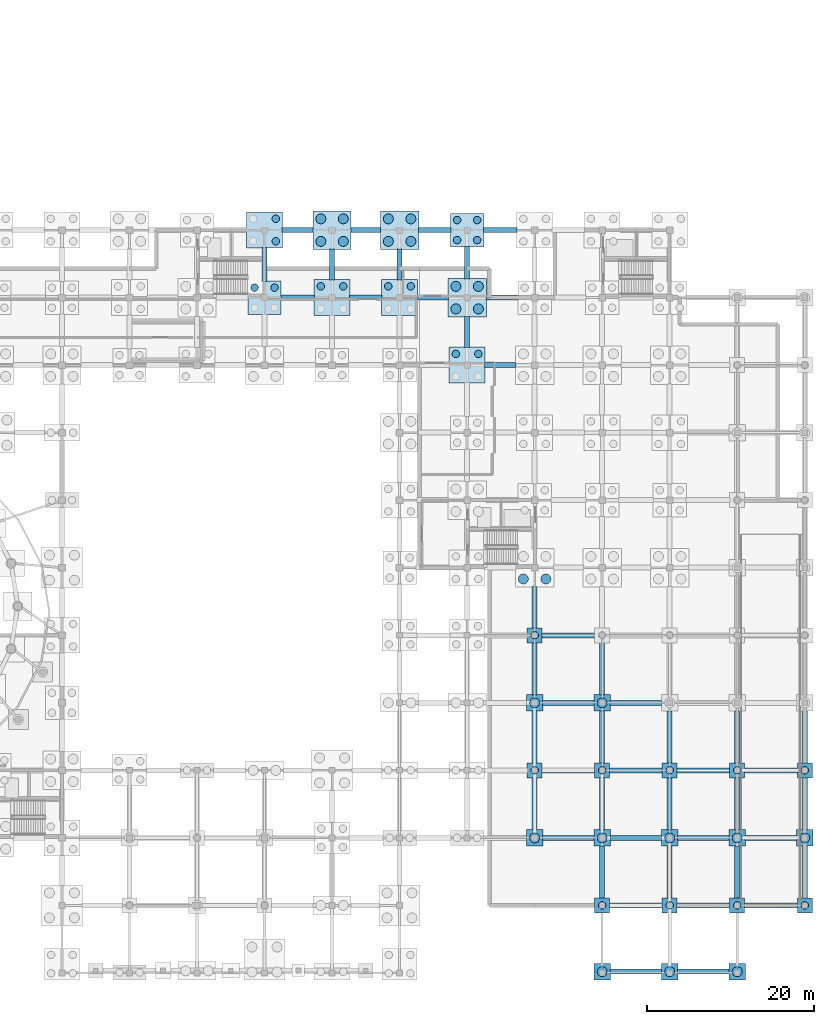
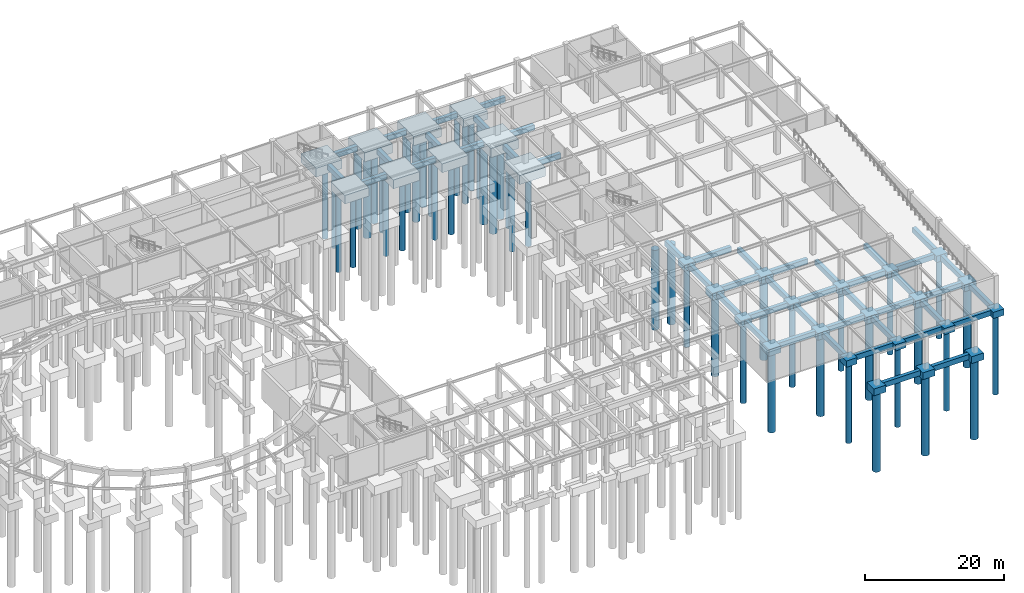
# One storey, part 6 of 26: 76 footings, 48 piles.
"""IFC4 building model written with IfcOpenShell, lengths in metres."""

from ifc_helpers import new_model, si_unit, direction, frame, origin, origin_2d, place, context, subcontext, project, spatial, rectangle, circle, extrude, material, material_profile, profile_set, type_object, element, save


model = new_model("IFC4")

# Units and contexts
model_context = context("Model", 3, precision=1e-05, world=origin(), true_north=direction((0.0, 1.0)))
body_context = subcontext(model_context, "Body", "Model", "MODEL_VIEW")
ifc_project = project(units=[si_unit("LENGTHUNIT", "METRE"), si_unit("AREAUNIT", "SQUARE_METRE"), si_unit("VOLUMEUNIT", "CUBIC_METRE"), si_unit("PLANEANGLEUNIT", "RADIAN"), si_unit("MASSUNIT", "GRAM", prefix="KILO")], contexts=[model_context])

# Site, building, storey
site_placement = place(None, origin())
site = spatial("IfcSite", under=ifc_project, at=site_placement, CompositionType="ELEMENT")
building_placement = place(site_placement, origin())
building = spatial("IfcBuilding", under=site, at=building_placement, Name="Parian Resonance Hall", CompositionType="ELEMENT")
storey_placement = place(building_placement, frame((0.0, 0.0, -5.39990234375)))
storey = spatial("IfcBuildingStorey", under=building, at=storey_placement, Name="B1", CompositionType="ELEMENT", Elevation=-5.39990234375)

# Footings
ifc_material_1 = material(Name="Concrete C35/45", Category="concrete")
ifc_material_profile_1 = material_profile(ifc_material_1, rectangle(XDim=0.60009765625, YDim=0.89990234375, at=origin_2d()), Name="RC-GB-600x900")
ifc_profile_set_1 = profile_set([ifc_material_profile_1], Name="Concrete C35/45")
footing_type_1 = type_object("IfcFootingType", Name="GB-600x900", PredefinedType="FOOTING_BEAM", material=ifc_profile_set_1)
for number, where, z_axis, x_axis, name in (
    (1, (99.159912109375, 81.0, -0.85009765625), (1.0, 0.0, 0.0), (0.0, 1.0, 0.0), "Foundation tie beam B1-111"),
    (2, (97.199951171875, 82.9599609375, -0.85009765625), (0.0, 1.0, 0.0), (-1.0, 0.0, 0.0), "Foundation tie beam B1-112"),
):
    element("IfcFooting", number, at=place(storey_placement, frame(where, z_axis=z_axis, x_axis=x_axis)), inside=storey, type_object=footing_type_1, Name=name, PredefinedType="FOOTING_BEAM", context=body_context, shape_type="SweptSolid", body=[
        extrude(rectangle(XDim=0.60009765625, YDim=0.89990234375, at=origin_2d()), origin(), (0.0, 0.0, 1.0), 4.030029296875),
    ])
footing_1_placement = place(storey_placement, frame((99.31005859375, 89.10009765625, -0.85009765625), z_axis=(1.0, 0.0, 0.0), x_axis=(0.0, 1.0, 0.0)))
element("IfcFooting", 3, at=footing_1_placement, inside=storey, type_object=footing_type_1, Name="Foundation tie beam B1-113", PredefinedType="FOOTING_BEAM", context=body_context, shape_type="SweptSolid", body=[
    extrude(rectangle(XDim=0.60009765625, YDim=0.89990234375, at=origin_2d()), origin(), (0.0, 0.0, 1.0), 3.72998046875),
])
footing_2_placement = place(storey_placement, frame((107.409912109375, 81.0, -0.85009765625), z_axis=(1.0, 0.0, 0.0), x_axis=(0.0, 1.0, 0.0)))
element("IfcFooting", 4, at=footing_2_placement, inside=storey, type_object=footing_type_1, Name="Foundation tie beam B1-122", PredefinedType="FOOTING_BEAM", context=body_context, shape_type="SweptSolid", body=[
    extrude(rectangle(XDim=0.60009765625, YDim=0.89990234375, at=origin_2d()), origin(), (0.0, 0.0, 1.0), 3.880126953125),
])
footing_3_placement = place(storey_placement, frame((105.300048828125, 83.110107421875, -0.85009765625), z_axis=(0.0, 1.0, 0.0), x_axis=(-1.0, 0.0, 0.0)))
element("IfcFooting", 5, at=footing_3_placement, inside=storey, type_object=footing_type_1, Name="Foundation tie beam B1-123", PredefinedType="FOOTING_BEAM", context=body_context, shape_type="SweptSolid", body=[
    extrude(rectangle(XDim=0.60009765625, YDim=0.89990234375, at=origin_2d()), origin(), (0.0, 0.0, 1.0), 3.72998046875),
])
footing_4_placement = place(storey_placement, frame((107.56005859375, 89.10009765625, -0.85009765625), z_axis=(1.0, 0.0, 0.0), x_axis=(0.0, 1.0, 0.0)))
element("IfcFooting", 6, at=footing_4_placement, inside=storey, type_object=footing_type_1, Name="Foundation tie beam B1-124", PredefinedType="FOOTING_BEAM", context=body_context, shape_type="SweptSolid", body=[
    extrude(rectangle(XDim=0.60009765625, YDim=0.89990234375, at=origin_2d()), origin(), (0.0, 0.0, 1.0), 3.579833984375),
])
for number, where, z_axis, x_axis, name in (
    (7, (115.510009765625, 81.0, -0.85009765625), (1.0, 0.0, 0.0), (0.0, 1.0, 0.0), "Foundation tie beam B1-142"),
    (8, (113.39990234375, 83.110107421875, -0.85009765625), (0.0, 1.0, 0.0), (-1.0, 0.0, 0.0), "Foundation tie beam B1-143"),
):
    element("IfcFooting", number, at=place(storey_placement, frame(where, z_axis=z_axis, x_axis=x_axis)), inside=storey, type_object=footing_type_1, Name=name, PredefinedType="FOOTING_BEAM", context=body_context, shape_type="SweptSolid", body=[
        extrude(rectangle(XDim=0.60009765625, YDim=0.89990234375, at=origin_2d()), origin(), (0.0, 0.0, 1.0), 3.72998046875),
    ])
footing_5_placement = place(storey_placement, frame((115.659912109375, 89.10009765625, -0.85009765625), z_axis=(1.0, 0.0, 0.0), x_axis=(0.0, 1.0, 0.0)))
element("IfcFooting", 9, at=footing_5_placement, inside=storey, type_object=footing_type_1, Name="Foundation tie beam B1-144", PredefinedType="FOOTING_BEAM", context=body_context, shape_type="SweptSolid", body=[
    extrude(rectangle(XDim=0.60009765625, YDim=0.89990234375, at=origin_2d()), origin(), (0.0, 0.0, 1.0), 3.880126953125),
])
for number, where, z_axis, x_axis, name in (
    (10, (123.610107421875, 72.89990234375, -0.85009765625), (1.0, 0.0, 0.0), (0.0, 1.0, 0.0), "Foundation tie beam B1-159"),
    (11, (121.5, 75.010009765625, -0.85009765625), (0.0, 1.0, 0.0), (-1.0, 0.0, 0.0), "Foundation tie beam B1-160"),
):
    element("IfcFooting", number, at=place(storey_placement, frame(where, z_axis=z_axis, x_axis=x_axis)), inside=storey, type_object=footing_type_1, Name=name, PredefinedType="FOOTING_BEAM", context=body_context, shape_type="SweptSolid", body=[
        extrude(rectangle(XDim=0.60009765625, YDim=0.89990234375, at=origin_2d()), origin(), (0.0, 0.0, 1.0), 3.72998046875),
    ])
for number, where, z_axis, x_axis, name in (
    (12, (123.760009765625, 81.0, -0.85009765625), (1.0, 0.0, 0.0), (0.0, 1.0, 0.0), "Foundation tie beam B1-161"),
    (13, (121.5, 83.260009765625, -0.85009765625), (0.0, 1.0, 0.0), (-1.0, 0.0, 0.0), "Foundation tie beam B1-162"),
):
    element("IfcFooting", number, at=place(storey_placement, frame(where, z_axis=z_axis, x_axis=x_axis)), inside=storey, type_object=footing_type_1, Name=name, PredefinedType="FOOTING_BEAM", context=body_context, shape_type="SweptSolid", body=[
        extrude(rectangle(XDim=0.60009765625, YDim=0.89990234375, at=origin_2d()), origin(), (0.0, 0.0, 1.0), 3.8798828125),
    ])
footing_6_placement = place(storey_placement, frame((123.4599609375, 89.10009765625, -0.85009765625), z_axis=(1.0, 0.0, 0.0), x_axis=(0.0, 1.0, 0.0)))
element("IfcFooting", 14, at=footing_6_placement, inside=storey, type_object=footing_type_1, Name="Foundation tie beam B1-163", PredefinedType="FOOTING_BEAM", context=body_context, shape_type="SweptSolid", body=[
    extrude(rectangle(XDim=0.60009765625, YDim=0.89990234375, at=origin_2d()), origin(), (0.0, 0.0, 1.0), 4.030029296875),
])
footing_7_placement = place(storey_placement, frame((130.56005859375, 16.199951171875, -0.85009765625), z_axis=(1.0, 0.0, 0.0), x_axis=(0.0, 1.0, 0.0)))
element("IfcFooting", 15, at=footing_7_placement, inside=storey, type_object=footing_type_1, Name="Foundation tie beam B1-164", PredefinedType="FOOTING_BEAM", context=body_context, shape_type="SweptSolid", body=[
    extrude(rectangle(XDim=0.60009765625, YDim=0.89990234375, at=origin_2d()), origin(), (0.0, 0.0, 1.0), 6.179931640625),
])
footing_8_placement = place(storey_placement, frame((129.60009765625, 17.159912109375, -0.85009765625), z_axis=(0.0, 1.0, 0.0), x_axis=(-1.0, 0.0, 0.0)))
element("IfcFooting", 16, at=footing_8_placement, inside=storey, type_object=footing_type_1, Name="Foundation tie beam B1-165", PredefinedType="FOOTING_BEAM", context=body_context, shape_type="SweptSolid", body=[
    extrude(rectangle(XDim=0.60009765625, YDim=0.89990234375, at=origin_2d()), origin(), (0.0, 0.0, 1.0), 6.280029296875),
])
footing_9_placement = place(storey_placement, frame((130.4599609375, 24.300048828125, -0.85009765625), z_axis=(1.0, 0.0, 0.0), x_axis=(0.0, 1.0, 0.0)))
element("IfcFooting", 17, at=footing_9_placement, inside=storey, type_object=footing_type_1, Name="Foundation tie beam B1-166", PredefinedType="FOOTING_BEAM", context=body_context, shape_type="SweptSolid", body=[
    extrude(rectangle(XDim=0.60009765625, YDim=0.89990234375, at=origin_2d()), origin(), (0.0, 0.0, 1.0), 6.380126953125),
])
footing_10_placement = place(storey_placement, frame((129.60009765625, 25.159912109375, -0.85009765625), z_axis=(0.0, 1.0, 0.0), x_axis=(-1.0, 0.0, 0.0)))
element("IfcFooting", 18, at=footing_10_placement, inside=storey, type_object=footing_type_1, Name="Foundation tie beam B1-167", PredefinedType="FOOTING_BEAM", context=body_context, shape_type="SweptSolid", body=[
    extrude(rectangle(XDim=0.60009765625, YDim=0.89990234375, at=origin_2d()), origin(), (0.0, 0.0, 1.0), 6.280029296875),
])
footing_11_placement = place(storey_placement, frame((130.56005859375, 32.39990234375, -0.85009765625), z_axis=(1.0, 0.0, 0.0), x_axis=(0.0, 1.0, 0.0)))
element("IfcFooting", 19, at=footing_11_placement, inside=storey, type_object=footing_type_1, Name="Foundation tie beam B1-168", PredefinedType="FOOTING_BEAM", context=body_context, shape_type="SweptSolid", body=[
    extrude(rectangle(XDim=0.60009765625, YDim=0.89990234375, at=origin_2d()), origin(), (0.0, 0.0, 1.0), 6.179931640625),
])
footing_12_placement = place(storey_placement, frame((129.60009765625, 33.360107421875, -0.85009765625), z_axis=(0.0, 1.0, 0.0), x_axis=(-1.0, 0.0, 0.0)))
element("IfcFooting", 20, at=footing_12_placement, inside=storey, type_object=footing_type_1, Name="Foundation tie beam B1-169", PredefinedType="FOOTING_BEAM", context=body_context, shape_type="SweptSolid", body=[
    extrude(rectangle(XDim=0.60009765625, YDim=0.89990234375, at=origin_2d()), origin(), (0.0, 0.0, 1.0), 6.27978515625),
])
footing_13_placement = place(storey_placement, frame((130.4599609375, 40.5, -0.85009765625), z_axis=(1.0, 0.0, 0.0), x_axis=(0.0, 1.0, 0.0)))
element("IfcFooting", 21, at=footing_13_placement, inside=storey, type_object=footing_type_1, Name="Foundation tie beam B1-170", PredefinedType="FOOTING_BEAM", context=body_context, shape_type="SweptSolid", body=[
    extrude(rectangle(XDim=0.60009765625, YDim=0.89990234375, at=origin_2d()), origin(), (0.0, 0.0, 1.0), 6.380126953125),
])
footing_14_placement = place(storey_placement, frame((129.60009765625, 41.360107421875, -0.85009765625), z_axis=(0.0, 1.0, 0.0), x_axis=(-1.0, 0.0, 0.0)))
element("IfcFooting", 22, at=footing_14_placement, inside=storey, type_object=footing_type_1, Name="Foundation tie beam B1-171", PredefinedType="FOOTING_BEAM", context=body_context, shape_type="SweptSolid", body=[
    extrude(rectangle(XDim=0.60009765625, YDim=0.89990234375, at=origin_2d()), origin(), (0.0, 0.0, 1.0), 4.97998046875),
])
footing_15_placement = place(storey_placement, frame((138.659912109375, 0.14990234375, -0.85009765625), z_axis=(1.0, 0.0, 0.0), x_axis=(0.0, 1.0, 0.0)))
element("IfcFooting", 23, at=footing_15_placement, inside=storey, type_object=footing_type_1, Name="Foundation tie beam B1-183", PredefinedType="FOOTING_BEAM", context=body_context, shape_type="SweptSolid", body=[
    extrude(rectangle(XDim=0.60009765625, YDim=0.89990234375, at=origin_2d()), origin(), (0.0, 0.0, 1.0), 6.18017578125),
])
footing_16_placement = place(storey_placement, frame((138.56005859375, 8.10009765625, -0.85009765625), z_axis=(1.0, 0.0, 0.0), x_axis=(0.0, 1.0, 0.0)))
element("IfcFooting", 24, at=footing_16_placement, inside=storey, type_object=footing_type_1, Name="Foundation tie beam B1-184", PredefinedType="FOOTING_BEAM", context=body_context, shape_type="SweptSolid", body=[
    extrude(rectangle(XDim=0.60009765625, YDim=0.89990234375, at=origin_2d()), origin(), (0.0, 0.0, 1.0), 6.3798828125),
])
footing_17_placement = place(storey_placement, frame((137.699951171875, 8.9599609375, -0.85009765625), z_axis=(0.0, 1.0, 0.0), x_axis=(-1.0, 0.0, 0.0)))
element("IfcFooting", 25, at=footing_17_placement, inside=storey, type_object=footing_type_1, Name="Foundation tie beam B1-185", PredefinedType="FOOTING_BEAM", context=body_context, shape_type="SweptSolid", body=[
    extrude(rectangle(XDim=0.60009765625, YDim=0.89990234375, at=origin_2d()), origin(), (0.0, 0.0, 1.0), 6.280029296875),
])
footing_18_placement = place(storey_placement, frame((138.659912109375, 16.199951171875, -0.85009765625), z_axis=(1.0, 0.0, 0.0), x_axis=(0.0, 1.0, 0.0)))
element("IfcFooting", 26, at=footing_18_placement, inside=storey, type_object=footing_type_1, Name="Foundation tie beam B1-186", PredefinedType="FOOTING_BEAM", context=body_context, shape_type="SweptSolid", body=[
    extrude(rectangle(XDim=0.60009765625, YDim=0.89990234375, at=origin_2d()), origin(), (0.0, 0.0, 1.0), 6.18017578125),
])
footing_19_placement = place(storey_placement, frame((137.699951171875, 17.159912109375, -0.85009765625), z_axis=(0.0, 1.0, 0.0), x_axis=(-1.0, 0.0, 0.0)))
element("IfcFooting", 27, at=footing_19_placement, inside=storey, type_object=footing_type_1, Name="Foundation tie beam B1-187", PredefinedType="FOOTING_BEAM", context=body_context, shape_type="SweptSolid", body=[
    extrude(rectangle(XDim=0.60009765625, YDim=0.89990234375, at=origin_2d()), origin(), (0.0, 0.0, 1.0), 6.280029296875),
])
footing_20_placement = place(storey_placement, frame((138.56005859375, 24.300048828125, -0.85009765625), z_axis=(1.0, 0.0, 0.0), x_axis=(0.0, 1.0, 0.0)))
element("IfcFooting", 28, at=footing_20_placement, inside=storey, type_object=footing_type_1, Name="Foundation tie beam B1-188", PredefinedType="FOOTING_BEAM", context=body_context, shape_type="SweptSolid", body=[
    extrude(rectangle(XDim=0.60009765625, YDim=0.89990234375, at=origin_2d()), origin(), (0.0, 0.0, 1.0), 6.3798828125),
])
footing_21_placement = place(storey_placement, frame((137.699951171875, 25.159912109375, -0.85009765625), z_axis=(0.0, 1.0, 0.0), x_axis=(-1.0, 0.0, 0.0)))
element("IfcFooting", 29, at=footing_21_placement, inside=storey, type_object=footing_type_1, Name="Foundation tie beam B1-189", PredefinedType="FOOTING_BEAM", context=body_context, shape_type="SweptSolid", body=[
    extrude(rectangle(XDim=0.60009765625, YDim=0.89990234375, at=origin_2d()), origin(), (0.0, 0.0, 1.0), 6.280029296875),
])
footing_22_placement = place(storey_placement, frame((138.659912109375, 32.39990234375, -0.85009765625), z_axis=(1.0, 0.0, 0.0), x_axis=(0.0, 1.0, 0.0)))
element("IfcFooting", 30, at=footing_22_placement, inside=storey, type_object=footing_type_1, Name="Foundation tie beam B1-190", PredefinedType="FOOTING_BEAM", context=body_context, shape_type="SweptSolid", body=[
    extrude(rectangle(XDim=0.60009765625, YDim=0.89990234375, at=origin_2d()), origin(), (0.0, 0.0, 1.0), 6.18017578125),
])
footing_23_placement = place(storey_placement, frame((137.699951171875, 33.360107421875, -0.85009765625), z_axis=(0.0, 1.0, 0.0), x_axis=(-1.0, 0.0, 0.0)))
element("IfcFooting", 31, at=footing_23_placement, inside=storey, type_object=footing_type_1, Name="Foundation tie beam B1-191", PredefinedType="FOOTING_BEAM", context=body_context, shape_type="SweptSolid", body=[
    extrude(rectangle(XDim=0.60009765625, YDim=0.89990234375, at=origin_2d()), origin(), (0.0, 0.0, 1.0), 6.27978515625),
])
footing_24_placement = place(storey_placement, frame((146.760009765625, 0.14990234375, -0.85009765625), z_axis=(1.0, 0.0, 0.0), x_axis=(0.0, 1.0, 0.0)))
element("IfcFooting", 32, at=footing_24_placement, inside=storey, type_object=footing_type_1, Name="Foundation tie beam B1-205", PredefinedType="FOOTING_BEAM", context=body_context, shape_type="SweptSolid", body=[
    extrude(rectangle(XDim=0.60009765625, YDim=0.89990234375, at=origin_2d()), origin(), (0.0, 0.0, 1.0), 6.179931640625),
])
footing_25_placement = place(storey_placement, frame((146.659912109375, 8.10009765625, -0.85009765625), z_axis=(1.0, 0.0, 0.0), x_axis=(0.0, 1.0, 0.0)))
element("IfcFooting", 33, at=footing_25_placement, inside=storey, type_object=footing_type_1, Name="Foundation tie beam B1-206", PredefinedType="FOOTING_BEAM", context=body_context, shape_type="SweptSolid", body=[
    extrude(rectangle(XDim=0.60009765625, YDim=0.89990234375, at=origin_2d()), origin(), (0.0, 0.0, 1.0), 6.380126953125),
])
footing_26_placement = place(storey_placement, frame((145.800048828125, 8.9599609375, -0.85009765625), z_axis=(0.0, 1.0, 0.0), x_axis=(-1.0, 0.0, 0.0)))
element("IfcFooting", 34, at=footing_26_placement, inside=storey, type_object=footing_type_1, Name="Foundation tie beam B1-207", PredefinedType="FOOTING_BEAM", context=body_context, shape_type="SweptSolid", body=[
    extrude(rectangle(XDim=0.60009765625, YDim=0.89990234375, at=origin_2d()), origin(), (0.0, 0.0, 1.0), 6.280029296875),
])
footing_27_placement = place(storey_placement, frame((146.760009765625, 16.199951171875, -0.85009765625), z_axis=(1.0, 0.0, 0.0), x_axis=(0.0, 1.0, 0.0)))
element("IfcFooting", 35, at=footing_27_placement, inside=storey, type_object=footing_type_1, Name="Foundation tie beam B1-208", PredefinedType="FOOTING_BEAM", context=body_context, shape_type="SweptSolid", body=[
    extrude(rectangle(XDim=0.60009765625, YDim=0.89990234375, at=origin_2d()), origin(), (0.0, 0.0, 1.0), 6.179931640625),
])
footing_28_placement = place(storey_placement, frame((145.800048828125, 17.159912109375, -0.85009765625), z_axis=(0.0, 1.0, 0.0), x_axis=(-1.0, 0.0, 0.0)))
element("IfcFooting", 36, at=footing_28_placement, inside=storey, type_object=footing_type_1, Name="Foundation tie beam B1-209", PredefinedType="FOOTING_BEAM", context=body_context, shape_type="SweptSolid", body=[
    extrude(rectangle(XDim=0.60009765625, YDim=0.89990234375, at=origin_2d()), origin(), (0.0, 0.0, 1.0), 6.280029296875),
])
footing_29_placement = place(storey_placement, frame((146.659912109375, 24.300048828125, -0.85009765625), z_axis=(1.0, 0.0, 0.0), x_axis=(0.0, 1.0, 0.0)))
element("IfcFooting", 37, at=footing_29_placement, inside=storey, type_object=footing_type_1, Name="Foundation tie beam B1-210", PredefinedType="FOOTING_BEAM", context=body_context, shape_type="SweptSolid", body=[
    extrude(rectangle(XDim=0.60009765625, YDim=0.89990234375, at=origin_2d()), origin(), (0.0, 0.0, 1.0), 6.380126953125),
])
footing_30_placement = place(storey_placement, frame((145.800048828125, 25.159912109375, -0.85009765625), z_axis=(0.0, 1.0, 0.0), x_axis=(-1.0, 0.0, 0.0)))
element("IfcFooting", 38, at=footing_30_placement, inside=storey, type_object=footing_type_1, Name="Foundation tie beam B1-211", PredefinedType="FOOTING_BEAM", context=body_context, shape_type="SweptSolid", body=[
    extrude(rectangle(XDim=0.60009765625, YDim=0.89990234375, at=origin_2d()), origin(), (0.0, 0.0, 1.0), 6.280029296875),
])
footing_31_placement = place(storey_placement, frame((154.760009765625, 8.10009765625, -0.85009765625), z_axis=(1.0, 0.0, 0.0), x_axis=(0.0, 1.0, 0.0)))
element("IfcFooting", 39, at=footing_31_placement, inside=storey, type_object=footing_type_1, Name="Foundation tie beam B1-226", PredefinedType="FOOTING_BEAM", context=body_context, shape_type="SweptSolid", body=[
    extrude(rectangle(XDim=0.60009765625, YDim=0.89990234375, at=origin_2d()), origin(), (0.0, 0.0, 1.0), 6.3798828125),
])
footing_32_placement = place(storey_placement, frame((153.89990234375, 8.9599609375, -0.85009765625), z_axis=(0.0, 1.0, 0.0), x_axis=(-1.0, 0.0, 0.0)))
element("IfcFooting", 40, at=footing_32_placement, inside=storey, type_object=footing_type_1, Name="Foundation tie beam B1-227", PredefinedType="FOOTING_BEAM", context=body_context, shape_type="SweptSolid", body=[
    extrude(rectangle(XDim=0.60009765625, YDim=0.89990234375, at=origin_2d()), origin(), (0.0, 0.0, 1.0), 6.280029296875),
])
footing_33_placement = place(storey_placement, frame((154.860107421875, 16.199951171875, -0.85009765625), z_axis=(1.0, 0.0, 0.0), x_axis=(0.0, 1.0, 0.0)))
element("IfcFooting", 41, at=footing_33_placement, inside=storey, type_object=footing_type_1, Name="Foundation tie beam B1-228", PredefinedType="FOOTING_BEAM", context=body_context, shape_type="SweptSolid", body=[
    extrude(rectangle(XDim=0.60009765625, YDim=0.89990234375, at=origin_2d()), origin(), (0.0, 0.0, 1.0), 6.179931640625),
])
footing_34_placement = place(storey_placement, frame((153.89990234375, 17.159912109375, -0.85009765625), z_axis=(0.0, 1.0, 0.0), x_axis=(-1.0, 0.0, 0.0)))
element("IfcFooting", 42, at=footing_34_placement, inside=storey, type_object=footing_type_1, Name="Foundation tie beam B1-229", PredefinedType="FOOTING_BEAM", context=body_context, shape_type="SweptSolid", body=[
    extrude(rectangle(XDim=0.60009765625, YDim=0.89990234375, at=origin_2d()), origin(), (0.0, 0.0, 1.0), 6.280029296875),
])
footing_35_placement = place(storey_placement, frame((154.760009765625, 24.300048828125, -0.85009765625), z_axis=(1.0, 0.0, 0.0), x_axis=(0.0, 1.0, 0.0)))
element("IfcFooting", 43, at=footing_35_placement, inside=storey, type_object=footing_type_1, Name="Foundation tie beam B1-230", PredefinedType="FOOTING_BEAM", context=body_context, shape_type="SweptSolid", body=[
    extrude(rectangle(XDim=0.60009765625, YDim=0.89990234375, at=origin_2d()), origin(), (0.0, 0.0, 1.0), 6.3798828125),
])
for number, where, z_axis, x_axis, name in (
    (44, (153.89990234375, 25.159912109375, -0.85009765625), (0.0, 1.0, 0.0), (-1.0, 0.0, 0.0), "Foundation tie beam B1-231"),
    (45, (162.0, 8.9599609375, -0.85009765625), (0.0, 1.0, 0.0), (-1.0, 0.0, 0.0), "Foundation tie beam B1-245"),
    (46, (162.0, 17.159912109375, -0.85009765625), (0.0, 1.0, 0.0), (-1.0, 0.0, 0.0), "Foundation tie beam B1-246"),
    (47, (162.0, 25.159912109375, -0.85009765625), (0.0, 1.0, 0.0), (-1.0, 0.0, 0.0), "Foundation tie beam B1-247"),
):
    element("IfcFooting", number, at=place(storey_placement, frame(where, z_axis=z_axis, x_axis=x_axis)), inside=storey, type_object=footing_type_1, Name=name, PredefinedType="FOOTING_BEAM", context=body_context, shape_type="SweptSolid", body=[
        extrude(rectangle(XDim=0.60009765625, YDim=0.89990234375, at=origin_2d()), origin(), (0.0, 0.0, 1.0), 6.280029296875),
    ])
ifc_material_2 = material(Name="Concrete C35/45", Category="concrete")
footing_type_2 = type_object("IfcFootingType", Name="PC-1P-1800", PredefinedType="PILE_CAP", material=ifc_material_2)
for number, where, z_axis, x_axis, name in (
    (48, (129.60009765625, 24.300048828125, -1.500244140625), (0.0, 0.0, 1.0), (1.0, 0.0, 0.0), "Pile cap G17-04"),
    (49, (129.60009765625, 40.5, -1.500244140625), (0.0, 0.0, 1.0), (1.0, 0.0, 0.0), "Pile cap G17-06"),
    (50, (137.699951171875, 8.10009765625, -1.500244140625), (0.0, 0.0, 1.0), (1.0, 0.0, 0.0), "Pile cap G18-02"),
    (51, (137.699951171875, 24.300048828125, -1.500244140625), (0.0, 0.0, 1.0), (1.0, 0.0, 0.0), "Pile cap G18-04"),
    (52, (145.800048828125, 8.10009765625, -1.500244140625), (0.0, 0.0, 1.0), (1.0, 0.0, 0.0), "Pile cap G19-02"),
    (53, (145.800048828125, 24.300048828125, -1.500244140625), (0.0, 0.0, 1.0), (1.0, 0.0, 0.0), "Pile cap G19-04"),
    (54, (153.89990234375, 8.10009765625, -1.500244140625), (0.0, 0.0, 1.0), (1.0, 0.0, 0.0), "Pile cap G20-02"),
    (55, (153.89990234375, 24.300048828125, -1.500244140625), (0.0, 0.0, 1.0), (1.0, 0.0, 0.0), "Pile cap G20-04"),
    (56, (162.0, 8.10009765625, -1.500244140625), (0.0, 0.0, 1.0), (1.0, 0.0, 0.0), "Pile cap G21-02"),
    (57, (162.0, 24.300048828125, -1.500244140625), (0.0, 0.0, 1.0), (1.0, 0.0, 0.0), "Pile cap G21-04"),
):
    element("IfcFooting", number, at=place(storey_placement, frame(where, z_axis=z_axis, x_axis=x_axis)), inside=storey, type_object=footing_type_2, Name=name, PredefinedType="PILE_CAP", context=body_context, shape_type="SweptSolid", body=[
        extrude(rectangle(XDim=1.800048828125, YDim=1.800048828125, at=origin_2d()), origin(), (0.0, 0.0, 1.0), 1.10009765625),
    ])
ifc_material_3 = material(Name="Concrete C35/45", Category="concrete")
footing_type_3 = type_object("IfcFootingType", Name="PC-1P-2000", PredefinedType="PILE_CAP", material=ifc_material_3)
for number, where, z_axis, x_axis, name in (
    (58, (129.60009765625, 16.199951171875, -1.60009765625), (0.0, 0.0, 1.0), (1.0, 0.0, 0.0), "Pile cap G17-03"),
    (59, (129.60009765625, 32.39990234375, -1.60009765625), (0.0, 0.0, 1.0), (1.0, 0.0, 0.0), "Pile cap G17-05"),
    (60, (137.699951171875, 0.14990234375, -1.60009765625), (0.0, 0.0, 1.0), (1.0, 0.0, 0.0), "Pile cap G18-01"),
    (61, (137.699951171875, 16.199951171875, -1.60009765625), (0.0, 0.0, 1.0), (1.0, 0.0, 0.0), "Pile cap G18-03"),
    (62, (137.699951171875, 32.39990234375, -1.60009765625), (0.0, 0.0, 1.0), (1.0, 0.0, 0.0), "Pile cap G18-05"),
    (63, (145.800048828125, 0.14990234375, -1.60009765625), (0.0, 0.0, 1.0), (1.0, 0.0, 0.0), "Pile cap G19-01"),
    (64, (145.800048828125, 16.199951171875, -1.60009765625), (0.0, 0.0, 1.0), (1.0, 0.0, 0.0), "Pile cap G19-03"),
    (65, (153.89990234375, 0.14990234375, -1.60009765625), (0.0, 0.0, 1.0), (1.0, 0.0, 0.0), "Pile cap G20-01"),
    (66, (153.89990234375, 16.199951171875, -1.60009765625), (0.0, 0.0, 1.0), (1.0, 0.0, 0.0), "Pile cap G20-03"),
    (67, (162.0, 16.199951171875, -1.60009765625), (0.0, 0.0, 1.0), (1.0, 0.0, 0.0), "Pile cap G21-03"),
):
    element("IfcFooting", number, at=place(storey_placement, frame(where, z_axis=z_axis, x_axis=x_axis)), inside=storey, type_object=footing_type_3, Name=name, PredefinedType="PILE_CAP", context=body_context, shape_type="SweptSolid", body=[
        extrude(rectangle(XDim=2.0, YDim=2.0, at=origin_2d()), origin(), (0.0, 0.0, 1.0), 1.199951171875),
    ])
ifc_material_4 = material(Name="Concrete C35/45", Category="concrete")
footing_type_4 = type_object("IfcFootingType", Name="PC-4P-4000x4000", PredefinedType="PILE_CAP", material=ifc_material_4)
for number, where, z_axis, x_axis, name in (
    (68, (97.199951171875, 81.0, -1.900146484375), (0.0, 0.0, 1.0), (1.0, 0.0, 0.0), "Pile cap G13-11"),
    (69, (121.5, 89.10009765625, -1.900146484375), (0.0, 0.0, 1.0), (1.0, 0.0, 0.0), "Pile cap G16-12"),
):
    element("IfcFooting", number, at=place(storey_placement, frame(where, z_axis=z_axis, x_axis=x_axis)), inside=storey, type_object=footing_type_4, Name=name, PredefinedType="PILE_CAP", context=body_context, shape_type="SweptSolid", body=[
        extrude(rectangle(XDim=4.0, YDim=4.0, at=origin_2d()), origin(), (0.0, 0.0, 1.0), 1.5),
    ])
ifc_material_5 = material(Name="Concrete C35/45", Category="concrete")
footing_type_5 = type_object("IfcFootingType", Name="PC-4P-4300x4300", PredefinedType="PILE_CAP", material=ifc_material_5)
for number, where, z_axis, x_axis, name in (
    (70, (97.199951171875, 89.10009765625, -1.9501953125), (0.0, 0.0, 1.0), (1.0, 0.0, 0.0), "Pile cap G13-12"),
    (71, (105.300048828125, 81.0, -1.9501953125), (0.0, 0.0, 1.0), (1.0, 0.0, 0.0), "Pile cap G14-11"),
    (72, (113.39990234375, 81.0, -1.9501953125), (0.0, 0.0, 1.0), (1.0, 0.0, 0.0), "Pile cap G15-11"),
    (73, (121.5, 72.89990234375, -1.9501953125), (0.0, 0.0, 1.0), (1.0, 0.0, 0.0), "Pile cap G16-10"),
):
    element("IfcFooting", number, at=place(storey_placement, frame(where, z_axis=z_axis, x_axis=x_axis)), inside=storey, type_object=footing_type_5, Name=name, PredefinedType="PILE_CAP", context=body_context, shape_type="SweptSolid", body=[
        extrude(rectangle(XDim=4.300048828125, YDim=4.300048828125, at=origin_2d()), origin(), (0.0, 0.0, 1.0), 1.550048828125),
    ])
ifc_material_6 = material(Name="Concrete C35/45", Category="concrete")
footing_type_6 = type_object("IfcFootingType", Name="PC-4P-4600x4600", PredefinedType="PILE_CAP", material=ifc_material_6)
for number, where, z_axis, x_axis, name in (
    (74, (105.300048828125, 89.10009765625, -2.000244140625), (0.0, 0.0, 1.0), (1.0, 0.0, 0.0), "Pile cap G14-12"),
    (75, (113.39990234375, 89.10009765625, -2.000244140625), (0.0, 0.0, 1.0), (1.0, 0.0, 0.0), "Pile cap G15-12"),
    (76, (121.5, 81.0, -2.000244140625), (0.0, 0.0, 1.0), (1.0, 0.0, 0.0), "Pile cap G16-11"),
):
    element("IfcFooting", number, at=place(storey_placement, frame(where, z_axis=z_axis, x_axis=x_axis)), inside=storey, type_object=footing_type_6, Name=name, PredefinedType="PILE_CAP", context=body_context, shape_type="SweptSolid", body=[
        extrude(rectangle(XDim=4.60009765625, YDim=4.60009765625, at=origin_2d()), origin(), (0.0, 0.0, 1.0), 1.60009765625),
    ])

# Piles
ifc_material_7 = material(Name="Concrete C35/45", Category="concrete")
ifc_material_profile_2 = material_profile(ifc_material_7, circle(Radius=0.60009765625, at=origin_2d()), Name="PILE-D1200")
ifc_profile_set_2 = profile_set([ifc_material_profile_2], Name="Concrete C35/45")
pile_type_1 = type_object("IfcPileType", Name="PILE-1200", PredefinedType="BORED", material=ifc_profile_set_2)
for number, where, z_axis, x_axis, name in (
    (77, (103.949951171875, 87.75, -1.900146484375), (0.0, 0.0, -1.0), (1.0, 0.0, 0.0), "Bored pile G14-12-1"),
    (78, (103.949951171875, 90.449951171875, -1.900146484375), (0.0, 0.0, -1.0), (1.0, 0.0, 0.0), "Bored pile G14-12-2"),
    (79, (106.64990234375, 87.75, -1.900146484375), (0.0, 0.0, -1.0), (1.0, 0.0, 0.0), "Bored pile G14-12-3"),
    (80, (106.64990234375, 90.449951171875, -1.900146484375), (0.0, 0.0, -1.0), (1.0, 0.0, 0.0), "Bored pile G14-12-4"),
    (81, (112.050048828125, 87.75, -1.900146484375), (0.0, 0.0, -1.0), (1.0, 0.0, 0.0), "Bored pile G15-12-1"),
    (82, (112.050048828125, 90.449951171875, -1.900146484375), (0.0, 0.0, -1.0), (1.0, 0.0, 0.0), "Bored pile G15-12-2"),
    (83, (114.75, 87.75, -1.900146484375), (0.0, 0.0, -1.0), (1.0, 0.0, 0.0), "Bored pile G15-12-3"),
    (84, (114.75, 90.449951171875, -1.900146484375), (0.0, 0.0, -1.0), (1.0, 0.0, 0.0), "Bored pile G15-12-4"),
    (85, (120.14990234375, 79.64990234375, -1.900146484375), (0.0, 0.0, -1.0), (1.0, 0.0, 0.0), "Bored pile G16-11-1"),
    (86, (120.14990234375, 82.35009765625, -1.900146484375), (0.0, 0.0, -1.0), (1.0, 0.0, 0.0), "Bored pile G16-11-2"),
    (87, (122.85009765625, 79.64990234375, -1.900146484375), (0.0, 0.0, -1.0), (1.0, 0.0, 0.0), "Bored pile G16-11-3"),
    (88, (122.85009765625, 82.35009765625, -1.900146484375), (0.0, 0.0, -1.0), (1.0, 0.0, 0.0), "Bored pile G16-11-4"),
    (89, (129.60009765625, 16.199951171875, -1.5), (0.0, 0.0, -1.0), (1.0, 0.0, 0.0), "Bored pile G17-03-1"),
    (90, (129.60009765625, 32.39990234375, -1.5), (0.0, 0.0, -1.0), (1.0, 0.0, 0.0), "Bored pile G17-05-1"),
    (91, (128.25, 47.25, -1.900146484375), (0.0, 0.0, -1.0), (1.0, 0.0, 0.0), "Bored pile G17-07-1"),
    (92, (130.949951171875, 47.25, -1.900146484375), (0.0, 0.0, -1.0), (1.0, 0.0, 0.0), "Bored pile G17-07-3"),
    (93, (137.699951171875, 0.14990234375, -1.5), (0.0, 0.0, -1.0), (1.0, 0.0, 0.0), "Bored pile G18-01-1"),
    (94, (137.699951171875, 16.199951171875, -1.5), (0.0, 0.0, -1.0), (1.0, 0.0, 0.0), "Bored pile G18-03-1"),
    (95, (137.699951171875, 32.39990234375, -1.5), (0.0, 0.0, -1.0), (1.0, 0.0, 0.0), "Bored pile G18-05-1"),
    (96, (145.800048828125, 0.14990234375, -1.5), (0.0, 0.0, -1.0), (1.0, 0.0, 0.0), "Bored pile G19-01-1"),
    (97, (145.800048828125, 16.199951171875, -1.5), (0.0, 0.0, -1.0), (1.0, 0.0, 0.0), "Bored pile G19-03-1"),
    (98, (153.89990234375, 0.14990234375, -1.5), (0.0, 0.0, -1.0), (1.0, 0.0, 0.0), "Bored pile G20-01-1"),
    (99, (153.89990234375, 16.199951171875, -1.5), (0.0, 0.0, -1.0), (1.0, 0.0, 0.0), "Bored pile G20-03-1"),
    (100, (162.0, 16.199951171875, -1.5), (0.0, 0.0, -1.0), (1.0, 0.0, 0.0), "Bored pile G21-03-1"),
):
    element("IfcPile", number, at=place(storey_placement, frame(where, z_axis=z_axis, x_axis=x_axis)), inside=storey, type_object=pile_type_1, Name=name, PredefinedType="BORED", context=body_context, shape_type="SweptSolid", body=[
        extrude(circle(Radius=0.60009765625, at=origin_2d()), origin(), (0.0, 0.0, 1.0), 14.0),
    ])
ifc_material_8 = material(Name="Concrete C35/45", Category="concrete")
ifc_material_profile_3 = material_profile(ifc_material_8, circle(Radius=0.449951171875, at=origin_2d()), Name="PILE-D900")
ifc_profile_set_3 = profile_set([ifc_material_profile_3], Name="Concrete C35/45")
pile_type_2 = type_object("IfcPileType", Name="PILE-900", PredefinedType="BORED", material=ifc_profile_set_3)
for number, where, z_axis, x_axis, name in (
    (101, (96.0, 82.199951171875, -1.800048828125), (0.0, 0.0, -1.0), (1.0, 0.0, 0.0), "Bored pile G13-11-2"),
    (102, (98.39990234375, 82.199951171875, -1.800048828125), (0.0, 0.0, -1.0), (1.0, 0.0, 0.0), "Bored pile G13-11-4"),
    (103, (98.550048828125, 87.75, -1.85009765625), (0.0, 0.0, -1.0), (1.0, 0.0, 0.0), "Bored pile G13-12-3"),
    (104, (98.550048828125, 90.449951171875, -1.85009765625), (0.0, 0.0, -1.0), (1.0, 0.0, 0.0), "Bored pile G13-12-4"),
    (105, (103.949951171875, 82.35009765625, -1.85009765625), (0.0, 0.0, -1.0), (1.0, 0.0, 0.0), "Bored pile G14-11-2"),
    (106, (106.64990234375, 82.35009765625, -1.85009765625), (0.0, 0.0, -1.0), (1.0, 0.0, 0.0), "Bored pile G14-11-4"),
    (107, (112.050048828125, 82.35009765625, -1.85009765625), (0.0, 0.0, -1.0), (1.0, 0.0, 0.0), "Bored pile G15-11-2"),
    (108, (114.75, 82.35009765625, -1.85009765625), (0.0, 0.0, -1.0), (1.0, 0.0, 0.0), "Bored pile G15-11-4"),
    (109, (120.14990234375, 74.25, -1.85009765625), (0.0, 0.0, -1.0), (1.0, 0.0, 0.0), "Bored pile G16-10-2"),
    (110, (122.85009765625, 74.25, -1.85009765625), (0.0, 0.0, -1.0), (1.0, 0.0, 0.0), "Bored pile G16-10-4"),
    (111, (120.300048828125, 87.89990234375, -1.800048828125), (0.0, 0.0, -1.0), (1.0, 0.0, 0.0), "Bored pile G16-12-1"),
    (112, (120.300048828125, 90.300048828125, -1.800048828125), (0.0, 0.0, -1.0), (1.0, 0.0, 0.0), "Bored pile G16-12-2"),
    (113, (122.699951171875, 87.89990234375, -1.800048828125), (0.0, 0.0, -1.0), (1.0, 0.0, 0.0), "Bored pile G16-12-3"),
    (114, (122.699951171875, 90.300048828125, -1.800048828125), (0.0, 0.0, -1.0), (1.0, 0.0, 0.0), "Bored pile G16-12-4"),
    (115, (129.60009765625, 24.300048828125, -1.400146484375), (0.0, 0.0, -1.0), (1.0, 0.0, 0.0), "Bored pile G17-04-1"),
    (116, (129.60009765625, 40.5, -1.400146484375), (0.0, 0.0, -1.0), (1.0, 0.0, 0.0), "Bored pile G17-06-1"),
    (117, (137.699951171875, 8.10009765625, -1.400146484375), (0.0, 0.0, -1.0), (1.0, 0.0, 0.0), "Bored pile G18-02-1"),
    (118, (137.699951171875, 24.300048828125, -1.400146484375), (0.0, 0.0, -1.0), (1.0, 0.0, 0.0), "Bored pile G18-04-1"),
    (119, (145.800048828125, 8.10009765625, -1.400146484375), (0.0, 0.0, -1.0), (1.0, 0.0, 0.0), "Bored pile G19-02-1"),
    (120, (145.800048828125, 24.300048828125, -1.400146484375), (0.0, 0.0, -1.0), (1.0, 0.0, 0.0), "Bored pile G19-04-1"),
    (121, (153.89990234375, 8.10009765625, -1.400146484375), (0.0, 0.0, -1.0), (1.0, 0.0, 0.0), "Bored pile G20-02-1"),
    (122, (153.89990234375, 24.300048828125, -1.400146484375), (0.0, 0.0, -1.0), (1.0, 0.0, 0.0), "Bored pile G20-04-1"),
    (123, (162.0, 8.10009765625, -1.400146484375), (0.0, 0.0, -1.0), (1.0, 0.0, 0.0), "Bored pile G21-02-1"),
    (124, (162.0, 24.300048828125, -1.400146484375), (0.0, 0.0, -1.0), (1.0, 0.0, 0.0), "Bored pile G21-04-1"),
):
    element("IfcPile", number, at=place(storey_placement, frame(where, z_axis=z_axis, x_axis=x_axis)), inside=storey, type_object=pile_type_2, Name=name, PredefinedType="BORED", context=body_context, shape_type="SweptSolid", body=[
        extrude(circle(Radius=0.449951171875, at=origin_2d()), origin(), (0.0, 0.0, 1.0), 14.0),
    ])

save(model, "model.ifc")
